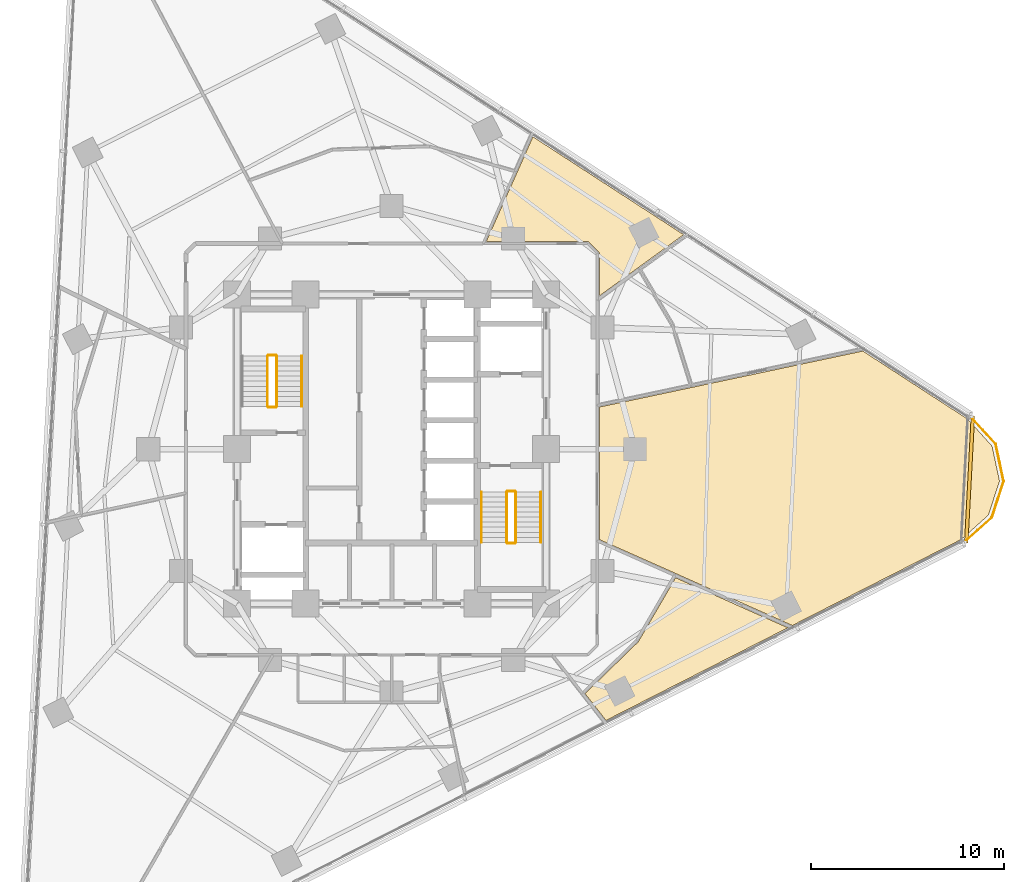
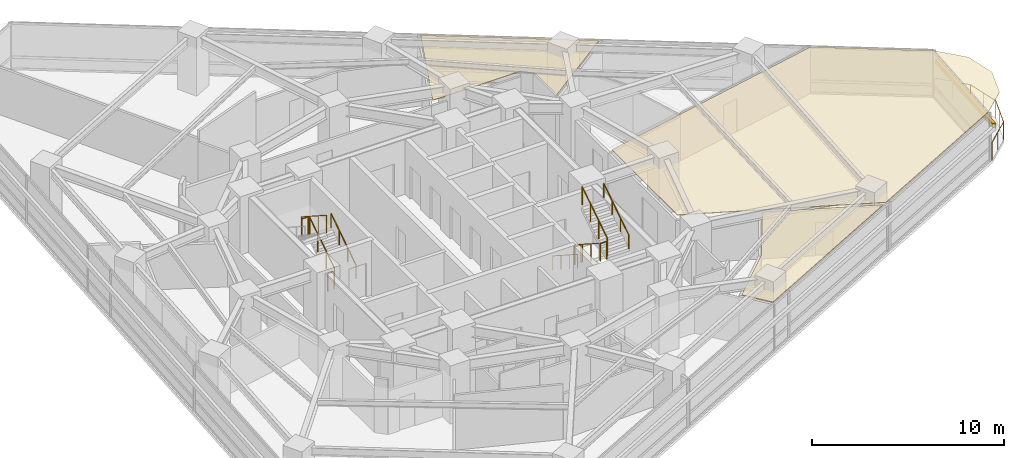
# One storey, part 13 of 14: 12 railings, 3 coverings, 1 shading device.
"""IFC4 building model written with IfcOpenShell, lengths in metres."""

from ifc_helpers import new_model, si_unit, direction, frame, origin, origin_2d, place, context, subcontext, project, spatial, polyline, rectangle, circle, outline, extrude, material, layer, layer_set, type_object, element, save


model = new_model("IFC4")

# Units and contexts
model_context = context("Model", 3, precision=1e-05, world=origin(), true_north=direction((0.0, 1.0)))
body_context = subcontext(model_context, "Body", "Model", "MODEL_VIEW")
ifc_project = project(units=[si_unit("LENGTHUNIT", "METRE"), si_unit("AREAUNIT", "SQUARE_METRE"), si_unit("VOLUMEUNIT", "CUBIC_METRE"), si_unit("PLANEANGLEUNIT", "RADIAN"), si_unit("MASSUNIT", "GRAM", prefix="KILO")], contexts=[model_context])

# Site, building, storey
site_placement = place(None, origin())
site = spatial("IfcSite", under=ifc_project, at=site_placement, CompositionType="ELEMENT")
building_placement = place(site_placement, origin())
building = spatial("IfcBuilding", under=site, at=building_placement, Name="Terralouvre Media Tower", CompositionType="ELEMENT")
storey_placement = place(building_placement, frame((0.0, 0.0, 142.10009765625)))
storey = spatial("IfcBuildingStorey", under=building, at=storey_placement, Name="L36", CompositionType="ELEMENT", Elevation=142.10009765625)

# Coverings
ifc_material_1 = material(Name="Perforated aluminium acoustic ceiling baffle", Category="aluminium")
ifc_layer_1 = layer(ifc_material_1, 0.0400390625, Name="Perforated Acoustic Metal Tile Ceiling CL-AC1")
ifc_layer_set_1 = layer_set([ifc_layer_1], Name="Perforated aluminium acoustic ceiling baffle")
covering_type = type_object("IfcCoveringType", Name="Perforated Acoustic Metal Tile Ceiling CL-AC1", PredefinedType="CEILING", material=ifc_layer_set_1)
covering_1_placement = place(storey_placement, frame((0.0, 0.0, 2.97998046875), z_axis=(0.0, 0.0, 1.0), x_axis=(0.891006524188, 0.45399049974, 0.0)))
element("IfcCovering", 1, at=covering_1_placement, inside=storey, type_object=covering_type, Name="L36 Foreign Copy Desk Office 6 Acoustic Ceiling", PredefinedType="CEILING", context=body_context, shape_type="SweptSolid", body=[
    extrude(outline(polyline([(6.8583984375, -14.675537109375), (6.8505859375, -14.68017578125), (6.84228515625, -14.683837890625), (6.833984375, -14.68701171875), (3.17724609375, -15.822021484375), (3.513671875, -17.5517578125), (14.084228515625, -17.55224609375), (10.07861328125, -12.604248046875), (6.8583984375, -14.675537109375)])), origin(), (0.0, 0.0, 1.0), 0.0400390625),
])
covering_2_placement = place(storey_placement, frame((0.0, 0.0, 2.97998046875), z_axis=(0.0, 0.0, 1.0), x_axis=(0.891006524188, 0.45399049974, 0.0)))
element("IfcCovering", 2, at=covering_2_placement, inside=storey, type_object=covering_type, Name="L36 Morning Rundown Briefing Room 7 Acoustic Ceiling", PredefinedType="CEILING", context=body_context, shape_type="SweptSolid", body=[
    extrude(outline(polyline([(10.5693359375, -2.935302734375), (7.455078125, -9.047607421875), (10.177490234375, -12.40869140625), (14.341796875, -17.55224609375), (24.1708984375, -17.55224609375), (25.986083984375, -17.06494140625), (27.29345703125, -15.758056640625), (27.7724609375, -13.972412109375), (27.28515625, -12.156982421875), (24.046875, -6.547119140625), (15.29052734375, -4.200439453125), (10.5693359375, -2.935302734375)])), origin(), (0.0, 0.0, 1.0), 0.0400390625),
])
covering_3_placement = place(storey_placement, frame((0.0, 0.0, 2.97998046875), z_axis=(0.0, 0.0, 1.0), x_axis=(0.891006524188, 0.45399049974, 0.0)))
element("IfcCovering", 3, at=covering_3_placement, inside=storey, type_object=covering_type, Name="L36 Newsroom Tea Pantry 10 Acoustic Ceiling", PredefinedType="CEILING", context=body_context, shape_type="SweptSolid", body=[
    extrude(outline(polyline([(9.24267578125, 7.35546875), (13.924072265625, 4.97021484375), (13.9326171875, 4.96533203125), (13.940673828125, 4.959716796875), (13.947998046875, 4.953369140625), (13.954833984375, 4.946044921875), (13.960693359375, 4.9384765625), (13.966064453125, 4.929931640625), (13.97021484375, 4.92138671875), (13.973876953125, 4.912109375), (14.1923828125, 4.239501953125), (14.19482421875, 4.230224609375), (14.196533203125, 4.220458984375), (14.197265625, 4.210693359375), (14.197021484375, 4.200927734375), (14.195556640625, 4.191162109375), (14.193603515625, 4.181640625), (14.1904296875, 4.17236328125), (14.186279296875, 4.163330078125), (13.180419921875, 2.18896484375), (15.645263671875, 2.5791015625), (18.51611328125, 3.033935546875), (13.861083984375, 11.095947265625), (12.294677734375, 9.82666015625), (9.24267578125, 7.35546875)])), origin(), (0.0, 0.0, 1.0), 0.0400390625),
])

# Railings
ifc_material_2 = material(Name="Stainless steel 316 handrail and balustrade", Category="steel")
ifc_layer_2 = layer(ifc_material_2, 0.06005859375, Name="Roof Edge Safety Guardrail GR-ROOF1")
ifc_layer_set_2 = layer_set([ifc_layer_2], Name="Stainless steel 316 handrail and balustrade")
railing_type_1 = type_object("IfcRailingType", Name="Roof Edge Safety Guardrail GR-ROOF1", PredefinedType="GUARDRAIL", material=ifc_layer_set_2)
railing_1_placement = place(storey_placement, frame((29.61572265625, -4.845947265625, 0.0)))
element("IfcRailing", 4, at=railing_1_placement, inside=storey, type_object=railing_type_1, Name="L36 Wind-Corner Perimeter Safety Guardrail C1", PredefinedType="GUARDRAIL", context=body_context, shape_type="SweptSolid", body=[
    extrude(circle(Radius=0.02099609375, at=origin_2d()), frame((0.0, 0.0, 1.12890625), z_axis=(0.743312666239, 0.668944153281, 0.0), x_axis=(-0.668944153281, 0.743312666239, 0.0)), (0.0, 0.0, 1.0), 1.96630859375),
    extrude(circle(Radius=0.02099609375, at=origin_2d()), frame((1.461669921875, 1.3154296875, 1.12890625), z_axis=(0.309178723202, 0.95100395221, 0.0), x_axis=(-0.95100395221, 0.309178723202, 0.0)), (0.0, 0.0, 1.0), 1.96630859375),
    extrude(circle(Radius=0.02099609375, at=origin_2d()), frame((2.069580078125, 3.185302734375, 1.12890625), z_axis=(-0.207968640809, 0.978135493907, 0.0), x_axis=(-0.978135493907, -0.207968640809, 0.0)), (0.0, 0.0, 1.0), 1.96630859375),
    extrude(circle(Radius=0.02099609375, at=origin_2d()), frame((1.66064453125, 5.108642578125, 1.12890625), z_axis=(-0.669335064293, 0.742960679786, 0.0), x_axis=(-0.742960679786, -0.669335064293, 0.0)), (0.0, 0.0, 1.0), 1.96630859375),
    extrude(circle(Radius=0.01904296875, at=origin_2d()), origin(), (0.0, 0.0, 1.0), 1.10791015625),
    extrude(circle(Radius=0.01904296875, at=origin_2d()), frame((0.73095703125, 0.65771484375, 0.0)), (0.0, 0.0, 1.0), 1.10791015625),
    extrude(circle(Radius=0.01904296875, at=origin_2d()), frame((1.461669921875, 1.3154296875, 0.0)), (0.0, 0.0, 1.0), 1.10791015625),
    extrude(circle(Radius=0.01904296875, at=origin_2d()), frame((1.765625, 2.25048828125, 0.0)), (0.0, 0.0, 1.0), 1.10791015625),
    extrude(circle(Radius=0.01904296875, at=origin_2d()), frame((2.069580078125, 3.185302734375, 0.0)), (0.0, 0.0, 1.0), 1.10791015625),
    extrude(circle(Radius=0.01904296875, at=origin_2d()), frame((1.865234375, 4.14697265625, 0.0)), (0.0, 0.0, 1.0), 1.10791015625),
    extrude(circle(Radius=0.01904296875, at=origin_2d()), frame((1.66064453125, 5.108642578125, 0.0)), (0.0, 0.0, 1.0), 1.10791015625),
    extrude(circle(Radius=0.01904296875, at=origin_2d()), frame((1.00244140625, 5.839111328125, 0.0)), (0.0, 0.0, 1.0), 1.10791015625),
    extrude(circle(Radius=0.01904296875, at=origin_2d()), frame((0.344482421875, 6.569580078125, 0.0)), (0.0, 0.0, 1.0), 1.10791015625),
])
ifc_material_3 = material(Name="Stainless steel 316 handrail and balustrade", Category="steel")
ifc_layer_3 = layer(ifc_material_3, 0.050048828125, Name="Stair Flight Wall Handrail HR-INT1")
ifc_layer_set_3 = layer_set([ifc_layer_3], Name="Stainless steel 316 handrail and balustrade")
railing_type_2 = type_object("IfcRailingType", Name="Stair Flight Wall Handrail HR-INT1", PredefinedType="HANDRAIL", material=ifc_layer_set_3)
railing_2_placement = place(storey_placement, frame((-4.64990234375, 2.219970703125, 0.16796875)))
element("IfcRailing", 5, at=railing_2_placement, inside=storey, type_object=railing_type_2, Name="L36 ST-01 stair handrail 1", PredefinedType="HANDRAIL", context=body_context, shape_type="SweptSolid", body=[
    extrude(circle(Radius=0.02392578125, at=origin_2d()), frame((0.0, 0.0, 0.8759765625), z_axis=(0.0, 0.839648411786, 0.543130320075), x_axis=(-1.0, 0.0, 0.0)), (0.0, 0.0, 1.0), 3.0966796875),
    extrude(circle(Radius=0.02099609375, at=origin_2d()), origin(), (0.0, 0.0, 1.0), 0.851806640625),
    extrude(circle(Radius=0.02099609375, at=origin_2d()), frame((0.0, 0.86669921875, 0.560546875)), (0.0, 0.0, 1.0), 0.851806640625),
    extrude(circle(Radius=0.02099609375, at=origin_2d()), frame((0.0, 1.7333984375, 1.121337890625)), (0.0, 0.0, 1.0), 0.851806640625),
    extrude(circle(Radius=0.02099609375, at=origin_2d()), frame((0.0, 2.60009765625, 1.681884765625)), (0.0, 0.0, 1.0), 0.851806640625),
])
railing_3_placement = place(storey_placement, frame((4.64990234375, -2.219970703125, 0.16796875)))
element("IfcRailing", 6, at=railing_3_placement, inside=storey, type_object=railing_type_2, Name="L36 ST-02 stair handrail 1", PredefinedType="HANDRAIL", context=body_context, shape_type="SweptSolid", body=[
    extrude(circle(Radius=0.02392578125, at=origin_2d()), frame((0.0, 0.0, 0.8759765625), z_axis=(0.0, -0.839648411786, 0.543130320075), x_axis=(1.0, 0.0, 0.0)), (0.0, 0.0, 1.0), 3.0966796875),
    extrude(circle(Radius=0.02099609375, at=origin_2d()), origin(), (0.0, 0.0, 1.0), 0.851806640625),
    extrude(circle(Radius=0.02099609375, at=origin_2d()), frame((0.0, -0.86669921875, 0.560546875)), (0.0, 0.0, 1.0), 0.851806640625),
    extrude(circle(Radius=0.02099609375, at=origin_2d()), frame((0.0, -1.7333984375, 1.121337890625)), (0.0, 0.0, 1.0), 0.851806640625),
    extrude(circle(Radius=0.02099609375, at=origin_2d()), frame((0.0, -2.60009765625, 1.681884765625)), (0.0, 0.0, 1.0), 0.851806640625),
])
railing_4_placement = place(storey_placement, frame((7.72998046875, -4.820068359375, 2.01806640625)))
element("IfcRailing", 7, at=railing_4_placement, inside=storey, type_object=railing_type_2, Name="L36 ST-02 stair handrail 2", PredefinedType="HANDRAIL", context=body_context, shape_type="SweptSolid", body=[
    extrude(circle(Radius=0.02392578125, at=origin_2d()), frame((0.0, 0.0, 0.8759765625), z_axis=(0.0, 0.839648411786, 0.543130320075), x_axis=(-1.0, 0.0, 0.0)), (0.0, 0.0, 1.0), 3.0966796875),
    extrude(circle(Radius=0.02099609375, at=origin_2d()), origin(), (0.0, 0.0, 1.0), 0.851806640625),
    extrude(circle(Radius=0.02099609375, at=origin_2d()), frame((0.0, 0.86669921875, 0.560546875)), (0.0, 0.0, 1.0), 0.851806640625),
    extrude(circle(Radius=0.02099609375, at=origin_2d()), frame((0.0, 1.7333984375, 1.121337890625)), (0.0, 0.0, 1.0), 0.851806640625),
    extrude(circle(Radius=0.02099609375, at=origin_2d()), frame((0.0, 2.60009765625, 1.681884765625)), (0.0, 0.0, 1.0), 0.851806640625),
])
ifc_material_4 = material(Name="Stainless steel 316 handrail and balustrade", Category="steel")
ifc_layer_4 = layer(ifc_material_4, 0.050048828125, Name="Stairwell Safety Guardrail GR-INT1")
ifc_layer_set_4 = layer_set([ifc_layer_4], Name="Stainless steel 316 handrail and balustrade")
railing_type_3 = type_object("IfcRailingType", Name="Stairwell Safety Guardrail GR-INT1", PredefinedType="GUARDRAIL", material=ifc_layer_set_4)
railing_5_placement = place(storey_placement, frame((-5.949951171875, 2.219970703125, 0.16796875)))
element("IfcRailing", 8, at=railing_5_placement, inside=storey, type_object=railing_type_3, Name="L36 ST-01 stair guard 1", PredefinedType="GUARDRAIL", context=body_context, shape_type="SweptSolid", body=[
    extrude(circle(Radius=0.02392578125, at=origin_2d()), frame((0.0, 0.0, 1.1259765625), z_axis=(0.0, 0.839648411786, 0.543130320075), x_axis=(-1.0, 0.0, 0.0)), (0.0, 0.0, 1.0), 3.0966796875),
    extrude(circle(Radius=0.02099609375, at=origin_2d()), origin(), (0.0, 0.0, 1.0), 1.101806640625),
    extrude(circle(Radius=0.02099609375, at=origin_2d()), frame((0.0, 0.86669921875, 0.560546875)), (0.0, 0.0, 1.0), 1.101806640625),
    extrude(circle(Radius=0.02099609375, at=origin_2d()), frame((0.0, 1.7333984375, 1.121337890625)), (0.0, 0.0, 1.0), 1.101806640625),
    extrude(circle(Radius=0.02099609375, at=origin_2d()), frame((0.0, 2.60009765625, 1.681884765625)), (0.0, 0.0, 1.0), 1.101806640625),
])
railing_6_placement = place(storey_placement, frame((-6.0, 4.8701171875, 1.849853515625)))
element("IfcRailing", 9, at=railing_6_placement, inside=storey, type_object=railing_type_3, Name="L36 ST-01 stair guard 2", PredefinedType="GUARDRAIL", context=body_context, shape_type="SweptSolid", body=[
    extrude(circle(Radius=0.02392578125, at=origin_2d()), frame((0.0, 0.0, 1.1259765625), z_axis=(-1.0, 0.0, 0.0), x_axis=(0.0, -1.0, 0.0)), (0.0, 0.0, 1.0), 0.3798828125),
    extrude(circle(Radius=0.02099609375, at=origin_2d()), origin(), (0.0, 0.0, 1.0), 1.101806640625),
    extrude(circle(Radius=0.02099609375, at=origin_2d()), frame((-0.3798828125, 0.0, 0.0)), (0.0, 0.0, 1.0), 1.101806640625),
])
railing_7_placement = place(storey_placement, frame((-6.429931640625, 4.820068359375, 2.01806640625)))
element("IfcRailing", 10, at=railing_7_placement, inside=storey, type_object=railing_type_3, Name="L36 ST-01 stair guard 3", PredefinedType="GUARDRAIL", context=body_context, shape_type="SweptSolid", body=[
    extrude(circle(Radius=0.02392578125, at=origin_2d()), frame((0.0, 0.0, 1.1259765625), z_axis=(0.0, -0.839648411786, 0.543130320075), x_axis=(1.0, 0.0, 0.0)), (0.0, 0.0, 1.0), 3.0966796875),
    extrude(circle(Radius=0.02099609375, at=origin_2d()), origin(), (0.0, 0.0, 1.0), 1.101806640625),
    extrude(circle(Radius=0.02099609375, at=origin_2d()), frame((0.0, -0.86669921875, 0.560546875)), (0.0, 0.0, 1.0), 1.101806640625),
    extrude(circle(Radius=0.02099609375, at=origin_2d()), frame((0.0, -1.7333984375, 1.121337890625)), (0.0, 0.0, 1.0), 1.101806640625),
    extrude(circle(Radius=0.02099609375, at=origin_2d()), frame((0.0, -2.60009765625, 1.681884765625)), (0.0, 0.0, 1.0), 1.101806640625),
])
railing_8_placement = place(storey_placement, frame((-6.0, 2.169921875, 0.0)))
element("IfcRailing", 11, at=railing_8_placement, inside=storey, type_object=railing_type_3, Name="L36 ST-01 stair guard 4", PredefinedType="GUARDRAIL", context=body_context, shape_type="SweptSolid", body=[
    extrude(circle(Radius=0.02392578125, at=origin_2d()), frame((0.0, 0.0, 1.1259765625), z_axis=(-1.0, 0.0, 0.0), x_axis=(0.0, -1.0, 0.0)), (0.0, 0.0, 1.0), 0.3798828125),
    extrude(circle(Radius=0.02099609375, at=origin_2d()), origin(), (0.0, 0.0, 1.0), 1.101806640625),
    extrude(circle(Radius=0.02099609375, at=origin_2d()), frame((-0.3798828125, 0.0, 0.0)), (0.0, 0.0, 1.0), 1.101806640625),
])
railing_9_placement = place(storey_placement, frame((5.949951171875, -2.219970703125, 0.16796875)))
element("IfcRailing", 12, at=railing_9_placement, inside=storey, type_object=railing_type_3, Name="L36 ST-02 stair guard 1", PredefinedType="GUARDRAIL", context=body_context, shape_type="SweptSolid", body=[
    extrude(circle(Radius=0.02392578125, at=origin_2d()), frame((0.0, 0.0, 1.1259765625), z_axis=(0.0, -0.839648411786, 0.543130320075), x_axis=(1.0, 0.0, 0.0)), (0.0, 0.0, 1.0), 3.0966796875),
    extrude(circle(Radius=0.02099609375, at=origin_2d()), origin(), (0.0, 0.0, 1.0), 1.101806640625),
    extrude(circle(Radius=0.02099609375, at=origin_2d()), frame((0.0, -0.86669921875, 0.560546875)), (0.0, 0.0, 1.0), 1.101806640625),
    extrude(circle(Radius=0.02099609375, at=origin_2d()), frame((0.0, -1.7333984375, 1.121337890625)), (0.0, 0.0, 1.0), 1.101806640625),
    extrude(circle(Radius=0.02099609375, at=origin_2d()), frame((0.0, -2.60009765625, 1.681884765625)), (0.0, 0.0, 1.0), 1.101806640625),
])
railing_10_placement = place(storey_placement, frame((6.0, -4.8701171875, 1.849853515625)))
element("IfcRailing", 13, at=railing_10_placement, inside=storey, type_object=railing_type_3, Name="L36 ST-02 stair guard 2", PredefinedType="GUARDRAIL", context=body_context, shape_type="SweptSolid", body=[
    extrude(circle(Radius=0.02392578125, at=origin_2d()), frame((0.0, 0.0, 1.1259765625), z_axis=(1.0, 0.0, 0.0), x_axis=(0.0, 1.0, 0.0)), (0.0, 0.0, 1.0), 0.3798828125),
    extrude(circle(Radius=0.02099609375, at=origin_2d()), origin(), (0.0, 0.0, 1.0), 1.101806640625),
    extrude(circle(Radius=0.02099609375, at=origin_2d()), frame((0.3798828125, 0.0, 0.0)), (0.0, 0.0, 1.0), 1.101806640625),
])
railing_11_placement = place(storey_placement, frame((6.429931640625, -4.820068359375, 2.01806640625)))
element("IfcRailing", 14, at=railing_11_placement, inside=storey, type_object=railing_type_3, Name="L36 ST-02 stair guard 3", PredefinedType="GUARDRAIL", context=body_context, shape_type="SweptSolid", body=[
    extrude(circle(Radius=0.02392578125, at=origin_2d()), frame((0.0, 0.0, 1.1259765625), z_axis=(0.0, 0.839648411786, 0.543130320075), x_axis=(-1.0, 0.0, 0.0)), (0.0, 0.0, 1.0), 3.0966796875),
    extrude(circle(Radius=0.02099609375, at=origin_2d()), origin(), (0.0, 0.0, 1.0), 1.101806640625),
    extrude(circle(Radius=0.02099609375, at=origin_2d()), frame((0.0, 0.86669921875, 0.560546875)), (0.0, 0.0, 1.0), 1.101806640625),
    extrude(circle(Radius=0.02099609375, at=origin_2d()), frame((0.0, 1.7333984375, 1.121337890625)), (0.0, 0.0, 1.0), 1.101806640625),
    extrude(circle(Radius=0.02099609375, at=origin_2d()), frame((0.0, 2.60009765625, 1.681884765625)), (0.0, 0.0, 1.0), 1.101806640625),
])
railing_12_placement = place(storey_placement, frame((6.0, -2.169921875, 0.0)))
element("IfcRailing", 15, at=railing_12_placement, inside=storey, type_object=railing_type_3, Name="L36 ST-02 stair guard 4", PredefinedType="GUARDRAIL", context=body_context, shape_type="SweptSolid", body=[
    extrude(circle(Radius=0.02392578125, at=origin_2d()), frame((0.0, 0.0, 1.1259765625), z_axis=(1.0, 0.0, 0.0), x_axis=(0.0, 1.0, 0.0)), (0.0, 0.0, 1.0), 0.3798828125),
    extrude(circle(Radius=0.02099609375, at=origin_2d()), origin(), (0.0, 0.0, 1.0), 1.101806640625),
    extrude(circle(Radius=0.02099609375, at=origin_2d()), frame((0.3798828125, 0.0, 0.0)), (0.0, 0.0, 1.0), 1.101806640625),
])

# Shading device
ifc_material_5 = material(Name="Extruded terracotta baguette sunshade louvres", Category="masonry")
shading_device_type = type_object("IfcShadingDeviceType", Name="Terracotta Baguette Sunshade Louvre Screen TB-LV1", PredefinedType="USERDEFINED", material=ifc_material_5)
shading_device_placement = place(storey_placement, frame((29.922607421875, -1.568115234375, 2.02392578125), z_axis=(0.0, 0.0, 1.0), x_axis=(0.052336823006, 0.998629489329, 0.0)))
element("IfcShadingDevice", 16, at=shading_device_placement, inside=storey, type_object=shading_device_type, Name="CW-L36-C1 Terracotta Baguette Sunshade Louvre", ObjectType="BAGUETTE", PredefinedType="USERDEFINED", context=body_context, shape_type="SweptSolid", body=[
    extrude(rectangle(XDim=6.581787109375, YDim=0.179931640625, at=origin_2d()), origin(), (0.0, 0.0, 1.0), 0.280029296875),
])

save(model, "model.ifc")
